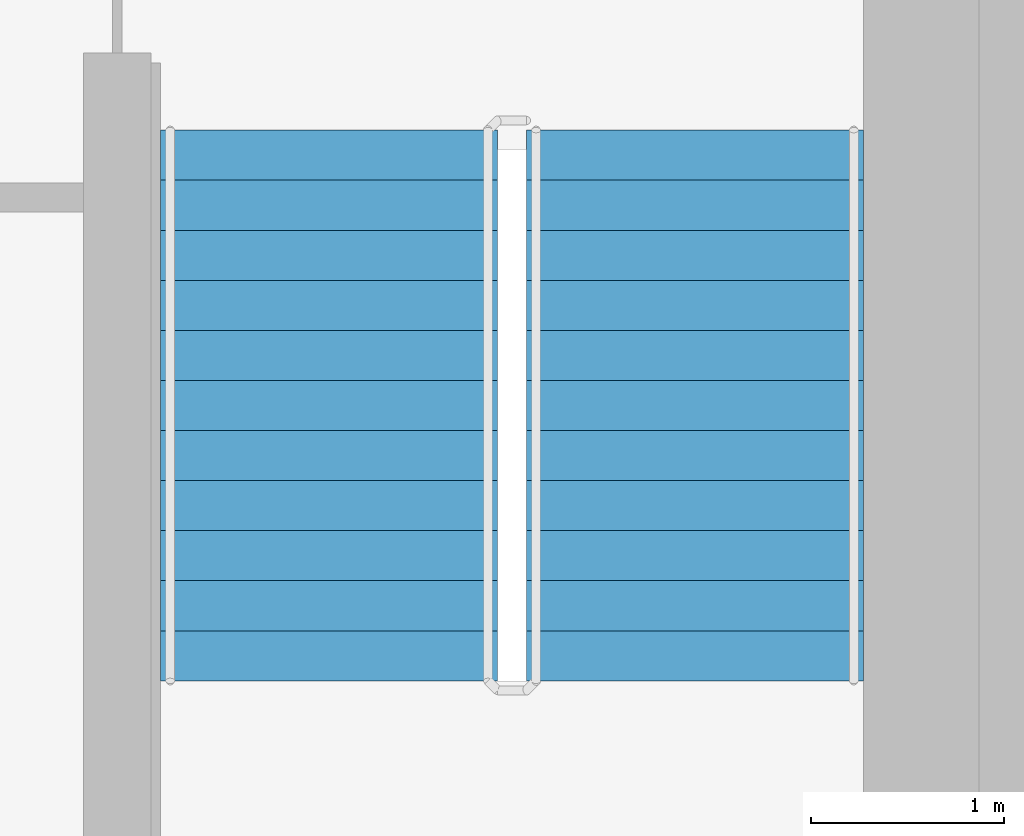
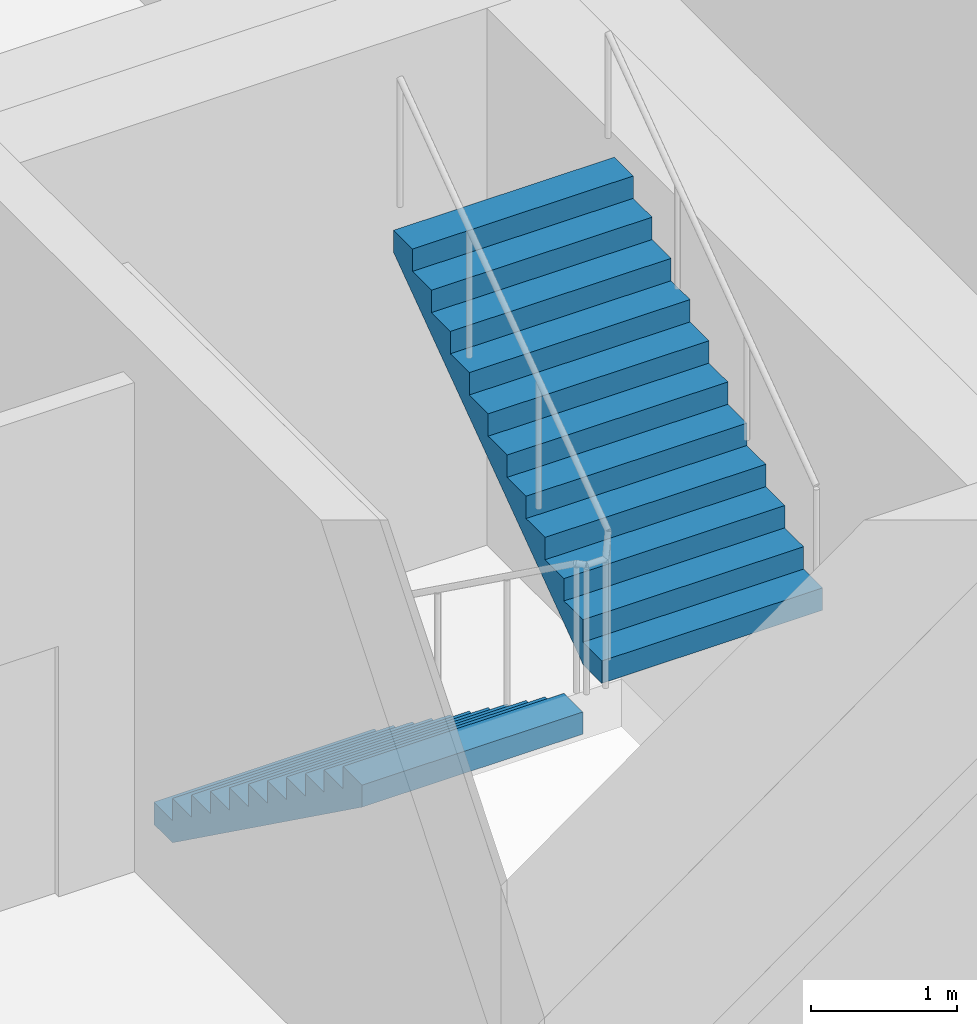
# One storey, part 10 of 12: 2 stair flights, 1 element without a shape of its own.
"""IFC4 building model written with IfcOpenShell, lengths in metres."""

from ifc_helpers import new_model, si_unit, direction, frame, origin, place, context, subcontext, project, spatial, faceted_brep, material, type_object, element, aggregate, save


model = new_model("IFC4")

# Units and contexts
model_context = context("Model", 3, precision=1e-05, world=origin(), true_north=direction((0.0, 1.0)))
body_context = subcontext(model_context, "Body", "Model", "MODEL_VIEW")
ifc_project = project(units=[si_unit("LENGTHUNIT", "METRE"), si_unit("AREAUNIT", "SQUARE_METRE"), si_unit("VOLUMEUNIT", "CUBIC_METRE"), si_unit("PLANEANGLEUNIT", "RADIAN"), si_unit("MASSUNIT", "GRAM", prefix="KILO")], contexts=[model_context])

# Site, building, storey
site_placement = place(None, origin())
site = spatial("IfcSite", under=ifc_project, at=site_placement, CompositionType="ELEMENT")
building_placement = place(site_placement, origin())
building = spatial("IfcBuilding", under=site, at=building_placement, Name="Ipe Terrace Towers", CompositionType="ELEMENT")
storey_placement = place(building_placement, frame((0.0, 0.0, 255.89990234375)))
storey = spatial("IfcBuildingStorey", under=building, at=storey_placement, Name="L70", CompositionType="ELEMENT", Elevation=255.89990234375)

# Stair, stair flights
ifc_material_1 = material(Name="Concrete C30/37", Category="concrete")
stair_type = type_object("IfcStairType", Name="Protected exit stair", PredefinedType="HALF_TURN_STAIR", material=ifc_material_1)
stair_placement = place(storey_placement, origin())
stair = element("IfcStair", 1, at=stair_placement, inside=storey, type_object=stair_type, Name="L70 Exit stair T2-C2", PredefinedType="HALF_TURN_STAIR")
ifc_material_2 = material(Name="Concrete C30/37", Category="concrete")
stair_flight_type = type_object("IfcStairFlightType", Name="Exit stair flight 1750", PredefinedType="STRAIGHT", material=ifc_material_2)
stair_flight_1_placement = place(storey_placement, frame((38.77490234375, -9.699951171875, 0.0), z_axis=(0.0, 0.0, 1.0), x_axis=(0.0, -1.0, 0.0)))
stair_flight_1 = element("IfcStairFlight", 2, at=stair_flight_1_placement, type_object=stair_flight_type, Name="T2-ST2 flight 1", NumberOfRisers=12, NumberOfTreads=11, PredefinedType="STRAIGHT", RiserHeight=0.1875, TreadLength=0.26, context=body_context, shape_type="Brep", body=[
    faceted_brep([(0.25634765625, -0.875, 0.0), (2.860107421875, -0.875, 1.877685546875), (2.860107421875, -0.875, 2.0625), (2.60009765625, -0.875, 2.0625), (2.60009765625, -0.875, 1.875), (2.340087890625, -0.875, 1.875), (2.340087890625, -0.875, 1.6875), (2.080078125, -0.875, 1.6875), (2.080078125, -0.875, 1.5), (1.820068359375, -0.875, 1.5), (1.820068359375, -0.875, 1.3125), (1.56005859375, -0.875, 1.3125), (1.56005859375, -0.875, 1.125), (1.300048828125, -0.875, 1.125), (1.300048828125, -0.875, 0.9375), (1.0400390625, -0.875, 0.9375), (1.0400390625, -0.875, 0.75), (0.780029296875, -0.875, 0.75), (0.780029296875, -0.875, 0.5625), (0.52001953125, -0.875, 0.5625), (0.52001953125, -0.875, 0.375), (0.260009765625, -0.875, 0.375), (0.260009765625, -0.875, 0.1875), (0.0, -0.875, 0.1875), (0.0, -0.875, 0.0), (0.0, 0.875, 0.0), (0.0, 0.875, 0.1875), (0.260009765625, 0.875, 0.1875), (0.260009765625, 0.875, 0.375), (0.52001953125, 0.875, 0.375), (0.52001953125, 0.875, 0.5625), (0.780029296875, 0.875, 0.5625), (0.780029296875, 0.875, 0.75), (1.0400390625, 0.875, 0.75), (1.0400390625, 0.875, 0.9375), (1.300048828125, 0.875, 0.9375), (1.300048828125, 0.875, 1.125), (1.56005859375, 0.875, 1.125), (1.56005859375, 0.875, 1.3125), (1.820068359375, 0.875, 1.3125), (1.820068359375, 0.875, 1.5), (2.080078125, 0.875, 1.5), (2.080078125, 0.875, 1.6875), (2.340087890625, 0.875, 1.6875), (2.340087890625, 0.875, 1.875), (2.60009765625, 0.875, 1.875), (2.60009765625, 0.875, 2.0625), (2.860107421875, 0.875, 2.0625), (2.860107421875, 0.875, 1.877685546875), (0.25634765625, 0.875, 0.0), (0.0, -0.300048828125, 0.1875), (0.0, -0.1201171875, 0.1875), (0.0, -0.06005859375, 0.1875), (0.0, -0.030029296875, 0.1875), (0.0, -0.010009765625, 0.1875), (0.0, 0.0, 0.1875), (0.0, 0.010009765625, 0.1875), (0.0, 0.030029296875, 0.1875), (0.0, 0.06005859375, 0.1875), (0.0, 0.1201171875, 0.1875), (0.0, 0.300048828125, 0.1875), (0.0, 0.300048828125, 0.0), (0.0, 0.1201171875, 0.0), (0.0, 0.06005859375, 0.0), (0.0, 0.030029296875, 0.0), (0.0, 0.010009765625, 0.0), (0.0, 0.0, 0.0), (0.0, -0.010009765625, 0.0), (0.0, -0.030029296875, 0.0), (0.0, -0.06005859375, 0.0), (0.0, -0.1201171875, 0.0), (0.0, -0.300048828125, 0.0), (0.260009765625, -0.300048828125, 0.1875), (0.260009765625, -0.1201171875, 0.1875), (0.260009765625, -0.06005859375, 0.1875), (0.260009765625, -0.030029296875, 0.1875), (0.260009765625, -0.010009765625, 0.1875), (0.260009765625, 0.0, 0.1875), (0.260009765625, 0.010009765625, 0.1875), (0.260009765625, 0.030029296875, 0.1875), (0.260009765625, 0.06005859375, 0.1875), (0.260009765625, 0.1201171875, 0.1875), (0.260009765625, 0.300048828125, 0.1875), (0.260009765625, -0.300048828125, 0.375), (0.260009765625, -0.1201171875, 0.375), (0.260009765625, -0.06005859375, 0.375), (0.260009765625, -0.030029296875, 0.375), (0.260009765625, -0.010009765625, 0.375), (0.260009765625, 0.0, 0.375), (0.260009765625, 0.010009765625, 0.375), (0.260009765625, 0.030029296875, 0.375), (0.260009765625, 0.06005859375, 0.375), (0.260009765625, 0.1201171875, 0.375), (0.260009765625, 0.300048828125, 0.375), (0.52001953125, -0.300048828125, 0.375), (0.52001953125, -0.1201171875, 0.375), (0.52001953125, -0.06005859375, 0.375), (0.52001953125, -0.030029296875, 0.375), (0.52001953125, -0.010009765625, 0.375), (0.52001953125, 0.0, 0.375), (0.52001953125, 0.010009765625, 0.375), (0.52001953125, 0.030029296875, 0.375), (0.52001953125, 0.06005859375, 0.375), (0.52001953125, 0.1201171875, 0.375), (0.52001953125, 0.300048828125, 0.375), (0.52001953125, -0.300048828125, 0.5625), (0.52001953125, -0.1201171875, 0.5625), (0.52001953125, -0.06005859375, 0.5625), (0.52001953125, -0.030029296875, 0.5625), (0.52001953125, -0.010009765625, 0.5625), (0.52001953125, 0.0, 0.5625), (0.52001953125, 0.010009765625, 0.5625), (0.52001953125, 0.030029296875, 0.5625), (0.52001953125, 0.06005859375, 0.5625), (0.52001953125, 0.1201171875, 0.5625), (0.52001953125, 0.300048828125, 0.5625), (0.780029296875, -0.300048828125, 0.5625), (0.780029296875, -0.1201171875, 0.5625), (0.780029296875, -0.06005859375, 0.5625), (0.780029296875, -0.030029296875, 0.5625), (0.780029296875, -0.010009765625, 0.5625), (0.780029296875, 0.0, 0.5625), (0.780029296875, 0.010009765625, 0.5625), (0.780029296875, 0.030029296875, 0.5625), (0.780029296875, 0.06005859375, 0.5625), (0.780029296875, 0.1201171875, 0.5625), (0.780029296875, 0.300048828125, 0.5625), (0.780029296875, -0.300048828125, 0.75), (0.780029296875, -0.1201171875, 0.75), (0.780029296875, -0.06005859375, 0.75), (0.780029296875, -0.030029296875, 0.75), (0.780029296875, -0.010009765625, 0.75), (0.780029296875, 0.0, 0.75), (0.780029296875, 0.010009765625, 0.75), (0.780029296875, 0.030029296875, 0.75), (0.780029296875, 0.06005859375, 0.75), (0.780029296875, 0.1201171875, 0.75), (0.780029296875, 0.300048828125, 0.75), (1.0400390625, -0.300048828125, 0.75), (1.0400390625, -0.1201171875, 0.75), (1.0400390625, -0.06005859375, 0.75), (1.0400390625, -0.030029296875, 0.75), (1.0400390625, -0.010009765625, 0.75), (1.0400390625, 0.0, 0.75), (1.0400390625, 0.010009765625, 0.75), (1.0400390625, 0.030029296875, 0.75), (1.0400390625, 0.06005859375, 0.75), (1.0400390625, 0.1201171875, 0.75), (1.0400390625, 0.300048828125, 0.75), (1.0400390625, -0.300048828125, 0.9375), (1.0400390625, -0.1201171875, 0.9375), (1.0400390625, -0.06005859375, 0.9375), (1.0400390625, -0.030029296875, 0.9375), (1.0400390625, -0.010009765625, 0.9375), (1.0400390625, 0.0, 0.9375), (1.0400390625, 0.010009765625, 0.9375), (1.0400390625, 0.030029296875, 0.9375), (1.0400390625, 0.06005859375, 0.9375), (1.0400390625, 0.1201171875, 0.9375), (1.0400390625, 0.300048828125, 0.9375), (1.300048828125, -0.300048828125, 0.9375), (1.300048828125, -0.1201171875, 0.9375), (1.300048828125, -0.06005859375, 0.9375), (1.300048828125, -0.030029296875, 0.9375), (1.300048828125, -0.010009765625, 0.9375), (1.300048828125, 0.0, 0.9375), (1.300048828125, 0.010009765625, 0.9375), (1.300048828125, 0.030029296875, 0.9375), (1.300048828125, 0.06005859375, 0.9375), (1.300048828125, 0.1201171875, 0.9375), (1.300048828125, 0.300048828125, 0.9375), (1.300048828125, -0.300048828125, 1.125), (1.300048828125, -0.1201171875, 1.125), (1.300048828125, -0.06005859375, 1.125), (1.300048828125, -0.030029296875, 1.125), (1.300048828125, -0.010009765625, 1.125), (1.300048828125, 0.0, 1.125), (1.300048828125, 0.010009765625, 1.125), (1.300048828125, 0.030029296875, 1.125), (1.300048828125, 0.06005859375, 1.125), (1.300048828125, 0.1201171875, 1.125), (1.300048828125, 0.300048828125, 1.125), (1.56005859375, -0.300048828125, 1.125), (1.56005859375, -0.1201171875, 1.125), (1.56005859375, -0.06005859375, 1.125), (1.56005859375, -0.030029296875, 1.125), (1.56005859375, -0.010009765625, 1.125), (1.56005859375, 0.0, 1.125), (1.56005859375, 0.010009765625, 1.125), (1.56005859375, 0.030029296875, 1.125), (1.56005859375, 0.06005859375, 1.125), (1.56005859375, 0.1201171875, 1.125), (1.56005859375, 0.300048828125, 1.125), (1.56005859375, -0.300048828125, 1.3125), (1.56005859375, -0.1201171875, 1.3125), (1.56005859375, -0.06005859375, 1.3125), (1.56005859375, -0.030029296875, 1.3125), (1.56005859375, -0.010009765625, 1.3125), (1.56005859375, 0.0, 1.3125), (1.56005859375, 0.010009765625, 1.3125), (1.56005859375, 0.030029296875, 1.3125), (1.56005859375, 0.06005859375, 1.3125), (1.56005859375, 0.1201171875, 1.3125), (1.56005859375, 0.300048828125, 1.3125), (1.820068359375, -0.300048828125, 1.3125), (1.820068359375, -0.1201171875, 1.3125), (1.820068359375, -0.06005859375, 1.3125), (1.820068359375, -0.030029296875, 1.3125), (1.820068359375, -0.010009765625, 1.3125), (1.820068359375, 0.0, 1.3125), (1.820068359375, 0.010009765625, 1.3125), (1.820068359375, 0.030029296875, 1.3125), (1.820068359375, 0.06005859375, 1.3125), (1.820068359375, 0.1201171875, 1.3125), (1.820068359375, 0.300048828125, 1.3125), (1.820068359375, -0.300048828125, 1.5), (1.820068359375, -0.1201171875, 1.5), (1.820068359375, -0.06005859375, 1.5), (1.820068359375, -0.030029296875, 1.5), (1.820068359375, -0.010009765625, 1.5), (1.820068359375, 0.0, 1.5), (1.820068359375, 0.010009765625, 1.5), (1.820068359375, 0.030029296875, 1.5), (1.820068359375, 0.06005859375, 1.5), (1.820068359375, 0.1201171875, 1.5), (1.820068359375, 0.300048828125, 1.5), (2.080078125, -0.300048828125, 1.5), (2.080078125, -0.1201171875, 1.5), (2.080078125, -0.06005859375, 1.5), (2.080078125, -0.030029296875, 1.5), (2.080078125, -0.010009765625, 1.5), (2.080078125, 0.0, 1.5), (2.080078125, 0.010009765625, 1.5), (2.080078125, 0.030029296875, 1.5), (2.080078125, 0.06005859375, 1.5), (2.080078125, 0.1201171875, 1.5), (2.080078125, 0.300048828125, 1.5), (2.080078125, -0.300048828125, 1.6875), (2.080078125, -0.1201171875, 1.6875), (2.080078125, -0.06005859375, 1.6875), (2.080078125, -0.030029296875, 1.6875), (2.080078125, -0.010009765625, 1.6875), (2.080078125, 0.0, 1.6875), (2.080078125, 0.010009765625, 1.6875), (2.080078125, 0.030029296875, 1.6875), (2.080078125, 0.06005859375, 1.6875), (2.080078125, 0.1201171875, 1.6875), (2.080078125, 0.300048828125, 1.6875), (2.340087890625, -0.300048828125, 1.6875), (2.340087890625, -0.1201171875, 1.6875), (2.340087890625, -0.06005859375, 1.6875), (2.340087890625, -0.030029296875, 1.6875), (2.340087890625, -0.010009765625, 1.6875), (2.340087890625, 0.0, 1.6875), (2.340087890625, 0.010009765625, 1.6875), (2.340087890625, 0.030029296875, 1.6875), (2.340087890625, 0.06005859375, 1.6875), (2.340087890625, 0.1201171875, 1.6875), (2.340087890625, 0.300048828125, 1.6875), (2.340087890625, -0.300048828125, 1.875), (2.340087890625, -0.1201171875, 1.875), (2.340087890625, -0.06005859375, 1.875), (2.340087890625, -0.030029296875, 1.875), (2.340087890625, -0.010009765625, 1.875), (2.340087890625, 0.0, 1.875), (2.340087890625, 0.010009765625, 1.875), (2.340087890625, 0.030029296875, 1.875), (2.340087890625, 0.06005859375, 1.875), (2.340087890625, 0.1201171875, 1.875), (2.340087890625, 0.300048828125, 1.875), (2.60009765625, -0.300048828125, 1.875), (2.60009765625, -0.1201171875, 1.875), (2.60009765625, -0.06005859375, 1.875), (2.60009765625, -0.030029296875, 1.875), (2.60009765625, -0.010009765625, 1.875), (2.60009765625, 0.0, 1.875), (2.60009765625, 0.010009765625, 1.875), (2.60009765625, 0.030029296875, 1.875), (2.60009765625, 0.06005859375, 1.875), (2.60009765625, 0.1201171875, 1.875), (2.60009765625, 0.300048828125, 1.875), (2.60009765625, -0.300048828125, 2.0625), (2.60009765625, -0.1201171875, 2.0625), (2.60009765625, -0.06005859375, 2.0625), (2.60009765625, -0.030029296875, 2.0625), (2.60009765625, -0.010009765625, 2.0625), (2.60009765625, 0.0, 2.0625), (2.60009765625, 0.010009765625, 2.0625), (2.60009765625, 0.030029296875, 2.0625), (2.60009765625, 0.06005859375, 2.0625), (2.60009765625, 0.1201171875, 2.0625), (2.60009765625, 0.300048828125, 2.0625), (2.860107421875, -0.300048828125, 2.0625), (2.860107421875, -0.1201171875, 2.0625), (2.860107421875, -0.06005859375, 2.0625), (2.860107421875, -0.030029296875, 2.0625), (2.860107421875, -0.010009765625, 2.0625), (2.860107421875, 0.0, 2.0625), (2.860107421875, 0.010009765625, 2.0625), (2.860107421875, 0.030029296875, 2.0625), (2.860107421875, 0.06005859375, 2.0625), (2.860107421875, 0.1201171875, 2.0625), (2.860107421875, 0.300048828125, 2.0625), (2.860107421875, -0.300048828125, 1.877685546875), (2.860107421875, -0.1201171875, 1.877685546875), (2.860107421875, -0.06005859375, 1.877685546875), (2.860107421875, -0.030029296875, 1.877685546875), (2.860107421875, -0.010009765625, 1.877685546875), (2.860107421875, 0.0, 1.877685546875), (2.860107421875, 0.010009765625, 1.877685546875), (2.860107421875, 0.030029296875, 1.877685546875), (2.860107421875, 0.06005859375, 1.877685546875), (2.860107421875, 0.1201171875, 1.877685546875), (2.860107421875, 0.300048828125, 1.877685546875), (0.25634765625, -0.300048828125, 0.0), (0.25634765625, -0.1201171875, 0.0), (0.25634765625, -0.06005859375, 0.0), (0.25634765625, -0.030029296875, 0.0), (0.25634765625, -0.010009765625, 0.0), (0.25634765625, 0.0, 0.0), (0.25634765625, 0.010009765625, 0.0), (0.25634765625, 0.030029296875, 0.0), (0.25634765625, 0.06005859375, 0.0), (0.25634765625, 0.1201171875, 0.0), (0.25634765625, 0.300048828125, 0.0)], [[[0, 1, 2, 3, 4, 5, 6, 7, 8, 9, 10, 11, 12, 13, 14, 15, 16, 17, 18, 19, 20, 21, 22, 23, 24]], [[25, 26, 27, 28, 29, 30, 31, 32, 33, 34, 35, 36, 37, 38, 39, 40, 41, 42, 43, 44, 45, 46, 47, 48, 49]], [[23, 50, 51, 52, 53, 54, 55, 56, 57, 58, 59, 60, 26, 25, 61, 62, 63, 64, 65, 66, 67, 68, 69, 70, 71, 24]], [[22, 72, 73, 74, 75, 76, 77, 78, 79, 80, 81, 82, 27, 26, 60, 59, 58, 57, 56, 55, 54, 53, 52, 51, 50, 23]], [[21, 83, 84, 85, 86, 87, 88, 89, 90, 91, 92, 93, 28, 27, 82, 81, 80, 79, 78, 77, 76, 75, 74, 73, 72, 22]], [[20, 94, 95, 96, 97, 98, 99, 100, 101, 102, 103, 104, 29, 28, 93, 92, 91, 90, 89, 88, 87, 86, 85, 84, 83, 21]], [[19, 105, 106, 107, 108, 109, 110, 111, 112, 113, 114, 115, 30, 29, 104, 103, 102, 101, 100, 99, 98, 97, 96, 95, 94, 20]], [[18, 116, 117, 118, 119, 120, 121, 122, 123, 124, 125, 126, 31, 30, 115, 114, 113, 112, 111, 110, 109, 108, 107, 106, 105, 19]], [[17, 127, 128, 129, 130, 131, 132, 133, 134, 135, 136, 137, 32, 31, 126, 125, 124, 123, 122, 121, 120, 119, 118, 117, 116, 18]], [[16, 138, 139, 140, 141, 142, 143, 144, 145, 146, 147, 148, 33, 32, 137, 136, 135, 134, 133, 132, 131, 130, 129, 128, 127, 17]], [[15, 149, 150, 151, 152, 153, 154, 155, 156, 157, 158, 159, 34, 33, 148, 147, 146, 145, 144, 143, 142, 141, 140, 139, 138, 16]], [[14, 160, 161, 162, 163, 164, 165, 166, 167, 168, 169, 170, 35, 34, 159, 158, 157, 156, 155, 154, 153, 152, 151, 150, 149, 15]], [[13, 171, 172, 173, 174, 175, 176, 177, 178, 179, 180, 181, 36, 35, 170, 169, 168, 167, 166, 165, 164, 163, 162, 161, 160, 14]], [[12, 182, 183, 184, 185, 186, 187, 188, 189, 190, 191, 192, 37, 36, 181, 180, 179, 178, 177, 176, 175, 174, 173, 172, 171, 13]], [[11, 193, 194, 195, 196, 197, 198, 199, 200, 201, 202, 203, 38, 37, 192, 191, 190, 189, 188, 187, 186, 185, 184, 183, 182, 12]], [[10, 204, 205, 206, 207, 208, 209, 210, 211, 212, 213, 214, 39, 38, 203, 202, 201, 200, 199, 198, 197, 196, 195, 194, 193, 11]], [[9, 215, 216, 217, 218, 219, 220, 221, 222, 223, 224, 225, 40, 39, 214, 213, 212, 211, 210, 209, 208, 207, 206, 205, 204, 10]], [[8, 226, 227, 228, 229, 230, 231, 232, 233, 234, 235, 236, 41, 40, 225, 224, 223, 222, 221, 220, 219, 218, 217, 216, 215, 9]], [[7, 237, 238, 239, 240, 241, 242, 243, 244, 245, 246, 247, 42, 41, 236, 235, 234, 233, 232, 231, 230, 229, 228, 227, 226, 8]], [[6, 248, 249, 250, 251, 252, 253, 254, 255, 256, 257, 258, 43, 42, 247, 246, 245, 244, 243, 242, 241, 240, 239, 238, 237, 7]], [[5, 259, 260, 261, 262, 263, 264, 265, 266, 267, 268, 269, 44, 43, 258, 257, 256, 255, 254, 253, 252, 251, 250, 249, 248, 6]], [[4, 270, 271, 272, 273, 274, 275, 276, 277, 278, 279, 280, 45, 44, 269, 268, 267, 266, 265, 264, 263, 262, 261, 260, 259, 5]], [[3, 281, 282, 283, 284, 285, 286, 287, 288, 289, 290, 291, 46, 45, 280, 279, 278, 277, 276, 275, 274, 273, 272, 271, 270, 4]], [[2, 292, 293, 294, 295, 296, 297, 298, 299, 300, 301, 302, 47, 46, 291, 290, 289, 288, 287, 286, 285, 284, 283, 282, 281, 3]], [[1, 303, 304, 305, 306, 307, 308, 309, 310, 311, 312, 313, 48, 47, 302, 301, 300, 299, 298, 297, 296, 295, 294, 293, 292, 2]], [[0, 314, 315, 316, 317, 318, 319, 320, 321, 322, 323, 324, 49, 48, 313, 312, 311, 310, 309, 308, 307, 306, 305, 304, 303, 1]], [[24, 71, 70, 69, 68, 67, 66, 65, 64, 63, 62, 61, 25, 49, 324, 323, 322, 321, 320, 319, 318, 317, 316, 315, 314, 0]]]),
])
stair_flight_2_placement = place(storey_placement, frame((40.675048828125, -12.56005859375, 2.25), z_axis=(0.0, 0.0, 1.0), x_axis=(0.0, 1.0, 0.0)))
stair_flight_2 = element("IfcStairFlight", 3, at=stair_flight_2_placement, type_object=stair_flight_type, Name="T2-ST2 flight 2", NumberOfRisers=12, NumberOfTreads=11, PredefinedType="STRAIGHT", RiserHeight=0.1875, TreadLength=0.26, context=body_context, shape_type="Brep", body=[
    faceted_brep([(0.25634765625, -0.875, 0.0), (2.860107421875, -0.875, 1.877685546875), (2.860107421875, -0.875, 2.0625), (2.60009765625, -0.875, 2.0625), (2.60009765625, -0.875, 1.875), (2.340087890625, -0.875, 1.875), (2.340087890625, -0.875, 1.6875), (2.080078125, -0.875, 1.6875), (2.080078125, -0.875, 1.5), (1.820068359375, -0.875, 1.5), (1.820068359375, -0.875, 1.3125), (1.56005859375, -0.875, 1.3125), (1.56005859375, -0.875, 1.125), (1.300048828125, -0.875, 1.125), (1.300048828125, -0.875, 0.9375), (1.0400390625, -0.875, 0.9375), (1.0400390625, -0.875, 0.75), (0.780029296875, -0.875, 0.75), (0.780029296875, -0.875, 0.5625), (0.52001953125, -0.875, 0.5625), (0.52001953125, -0.875, 0.375), (0.260009765625, -0.875, 0.375), (0.260009765625, -0.875, 0.1875), (0.0, -0.875, 0.1875), (0.0, -0.875, 0.0), (0.0, 0.875, 0.0), (0.0, 0.875, 0.1875), (0.260009765625, 0.875, 0.1875), (0.260009765625, 0.875, 0.375), (0.52001953125, 0.875, 0.375), (0.52001953125, 0.875, 0.5625), (0.780029296875, 0.875, 0.5625), (0.780029296875, 0.875, 0.75), (1.0400390625, 0.875, 0.75), (1.0400390625, 0.875, 0.9375), (1.300048828125, 0.875, 0.9375), (1.300048828125, 0.875, 1.125), (1.56005859375, 0.875, 1.125), (1.56005859375, 0.875, 1.3125), (1.820068359375, 0.875, 1.3125), (1.820068359375, 0.875, 1.5), (2.080078125, 0.875, 1.5), (2.080078125, 0.875, 1.6875), (2.340087890625, 0.875, 1.6875), (2.340087890625, 0.875, 1.875), (2.60009765625, 0.875, 1.875), (2.60009765625, 0.875, 2.0625), (2.860107421875, 0.875, 2.0625), (2.860107421875, 0.875, 1.877685546875), (0.25634765625, 0.875, 0.0), (0.0, -0.300048828125, 0.1875), (0.0, -0.1201171875, 0.1875), (0.0, -0.06005859375, 0.1875), (0.0, -0.030029296875, 0.1875), (0.0, -0.010009765625, 0.1875), (0.0, 0.0, 0.1875), (0.0, 0.010009765625, 0.1875), (0.0, 0.030029296875, 0.1875), (0.0, 0.06005859375, 0.1875), (0.0, 0.1201171875, 0.1875), (0.0, 0.300048828125, 0.1875), (0.0, 0.300048828125, 0.0), (0.0, 0.1201171875, 0.0), (0.0, 0.06005859375, 0.0), (0.0, 0.030029296875, 0.0), (0.0, 0.010009765625, 0.0), (0.0, 0.0, 0.0), (0.0, -0.010009765625, 0.0), (0.0, -0.030029296875, 0.0), (0.0, -0.06005859375, 0.0), (0.0, -0.1201171875, 0.0), (0.0, -0.300048828125, 0.0), (0.260009765625, -0.300048828125, 0.1875), (0.260009765625, -0.1201171875, 0.1875), (0.260009765625, -0.06005859375, 0.1875), (0.260009765625, -0.030029296875, 0.1875), (0.260009765625, -0.010009765625, 0.1875), (0.260009765625, 0.0, 0.1875), (0.260009765625, 0.010009765625, 0.1875), (0.260009765625, 0.030029296875, 0.1875), (0.260009765625, 0.06005859375, 0.1875), (0.260009765625, 0.1201171875, 0.1875), (0.260009765625, 0.300048828125, 0.1875), (0.260009765625, -0.300048828125, 0.375), (0.260009765625, -0.1201171875, 0.375), (0.260009765625, -0.06005859375, 0.375), (0.260009765625, -0.030029296875, 0.375), (0.260009765625, -0.010009765625, 0.375), (0.260009765625, 0.0, 0.375), (0.260009765625, 0.010009765625, 0.375), (0.260009765625, 0.030029296875, 0.375), (0.260009765625, 0.06005859375, 0.375), (0.260009765625, 0.1201171875, 0.375), (0.260009765625, 0.300048828125, 0.375), (0.52001953125, -0.300048828125, 0.375), (0.52001953125, -0.1201171875, 0.375), (0.52001953125, -0.06005859375, 0.375), (0.52001953125, -0.030029296875, 0.375), (0.52001953125, -0.010009765625, 0.375), (0.52001953125, 0.0, 0.375), (0.52001953125, 0.010009765625, 0.375), (0.52001953125, 0.030029296875, 0.375), (0.52001953125, 0.06005859375, 0.375), (0.52001953125, 0.1201171875, 0.375), (0.52001953125, 0.300048828125, 0.375), (0.52001953125, -0.300048828125, 0.5625), (0.52001953125, -0.1201171875, 0.5625), (0.52001953125, -0.06005859375, 0.5625), (0.52001953125, -0.030029296875, 0.5625), (0.52001953125, -0.010009765625, 0.5625), (0.52001953125, 0.0, 0.5625), (0.52001953125, 0.010009765625, 0.5625), (0.52001953125, 0.030029296875, 0.5625), (0.52001953125, 0.06005859375, 0.5625), (0.52001953125, 0.1201171875, 0.5625), (0.52001953125, 0.300048828125, 0.5625), (0.780029296875, -0.300048828125, 0.5625), (0.780029296875, -0.1201171875, 0.5625), (0.780029296875, -0.06005859375, 0.5625), (0.780029296875, -0.030029296875, 0.5625), (0.780029296875, -0.010009765625, 0.5625), (0.780029296875, 0.0, 0.5625), (0.780029296875, 0.010009765625, 0.5625), (0.780029296875, 0.030029296875, 0.5625), (0.780029296875, 0.06005859375, 0.5625), (0.780029296875, 0.1201171875, 0.5625), (0.780029296875, 0.300048828125, 0.5625), (0.780029296875, -0.300048828125, 0.75), (0.780029296875, -0.1201171875, 0.75), (0.780029296875, -0.06005859375, 0.75), (0.780029296875, -0.030029296875, 0.75), (0.780029296875, -0.010009765625, 0.75), (0.780029296875, 0.0, 0.75), (0.780029296875, 0.010009765625, 0.75), (0.780029296875, 0.030029296875, 0.75), (0.780029296875, 0.06005859375, 0.75), (0.780029296875, 0.1201171875, 0.75), (0.780029296875, 0.300048828125, 0.75), (1.0400390625, -0.300048828125, 0.75), (1.0400390625, -0.1201171875, 0.75), (1.0400390625, -0.06005859375, 0.75), (1.0400390625, -0.030029296875, 0.75), (1.0400390625, -0.010009765625, 0.75), (1.0400390625, 0.0, 0.75), (1.0400390625, 0.010009765625, 0.75), (1.0400390625, 0.030029296875, 0.75), (1.0400390625, 0.06005859375, 0.75), (1.0400390625, 0.1201171875, 0.75), (1.0400390625, 0.300048828125, 0.75), (1.0400390625, -0.300048828125, 0.9375), (1.0400390625, -0.1201171875, 0.9375), (1.0400390625, -0.06005859375, 0.9375), (1.0400390625, -0.030029296875, 0.9375), (1.0400390625, -0.010009765625, 0.9375), (1.0400390625, 0.0, 0.9375), (1.0400390625, 0.010009765625, 0.9375), (1.0400390625, 0.030029296875, 0.9375), (1.0400390625, 0.06005859375, 0.9375), (1.0400390625, 0.1201171875, 0.9375), (1.0400390625, 0.300048828125, 0.9375), (1.300048828125, -0.300048828125, 0.9375), (1.300048828125, -0.1201171875, 0.9375), (1.300048828125, -0.06005859375, 0.9375), (1.300048828125, -0.030029296875, 0.9375), (1.300048828125, -0.010009765625, 0.9375), (1.300048828125, 0.0, 0.9375), (1.300048828125, 0.010009765625, 0.9375), (1.300048828125, 0.030029296875, 0.9375), (1.300048828125, 0.06005859375, 0.9375), (1.300048828125, 0.1201171875, 0.9375), (1.300048828125, 0.300048828125, 0.9375), (1.300048828125, -0.300048828125, 1.125), (1.300048828125, -0.1201171875, 1.125), (1.300048828125, -0.06005859375, 1.125), (1.300048828125, -0.030029296875, 1.125), (1.300048828125, -0.010009765625, 1.125), (1.300048828125, 0.0, 1.125), (1.300048828125, 0.010009765625, 1.125), (1.300048828125, 0.030029296875, 1.125), (1.300048828125, 0.06005859375, 1.125), (1.300048828125, 0.1201171875, 1.125), (1.300048828125, 0.300048828125, 1.125), (1.56005859375, -0.300048828125, 1.125), (1.56005859375, -0.1201171875, 1.125), (1.56005859375, -0.06005859375, 1.125), (1.56005859375, -0.030029296875, 1.125), (1.56005859375, -0.010009765625, 1.125), (1.56005859375, 0.0, 1.125), (1.56005859375, 0.010009765625, 1.125), (1.56005859375, 0.030029296875, 1.125), (1.56005859375, 0.06005859375, 1.125), (1.56005859375, 0.1201171875, 1.125), (1.56005859375, 0.300048828125, 1.125), (1.56005859375, -0.300048828125, 1.3125), (1.56005859375, -0.1201171875, 1.3125), (1.56005859375, -0.06005859375, 1.3125), (1.56005859375, -0.030029296875, 1.3125), (1.56005859375, -0.010009765625, 1.3125), (1.56005859375, 0.0, 1.3125), (1.56005859375, 0.010009765625, 1.3125), (1.56005859375, 0.030029296875, 1.3125), (1.56005859375, 0.06005859375, 1.3125), (1.56005859375, 0.1201171875, 1.3125), (1.56005859375, 0.300048828125, 1.3125), (1.820068359375, -0.300048828125, 1.3125), (1.820068359375, -0.1201171875, 1.3125), (1.820068359375, -0.06005859375, 1.3125), (1.820068359375, -0.030029296875, 1.3125), (1.820068359375, -0.010009765625, 1.3125), (1.820068359375, 0.0, 1.3125), (1.820068359375, 0.010009765625, 1.3125), (1.820068359375, 0.030029296875, 1.3125), (1.820068359375, 0.06005859375, 1.3125), (1.820068359375, 0.1201171875, 1.3125), (1.820068359375, 0.300048828125, 1.3125), (1.820068359375, -0.300048828125, 1.5), (1.820068359375, -0.1201171875, 1.5), (1.820068359375, -0.06005859375, 1.5), (1.820068359375, -0.030029296875, 1.5), (1.820068359375, -0.010009765625, 1.5), (1.820068359375, 0.0, 1.5), (1.820068359375, 0.010009765625, 1.5), (1.820068359375, 0.030029296875, 1.5), (1.820068359375, 0.06005859375, 1.5), (1.820068359375, 0.1201171875, 1.5), (1.820068359375, 0.300048828125, 1.5), (2.080078125, -0.300048828125, 1.5), (2.080078125, -0.1201171875, 1.5), (2.080078125, -0.06005859375, 1.5), (2.080078125, -0.030029296875, 1.5), (2.080078125, -0.010009765625, 1.5), (2.080078125, 0.0, 1.5), (2.080078125, 0.010009765625, 1.5), (2.080078125, 0.030029296875, 1.5), (2.080078125, 0.06005859375, 1.5), (2.080078125, 0.1201171875, 1.5), (2.080078125, 0.300048828125, 1.5), (2.080078125, -0.300048828125, 1.6875), (2.080078125, -0.1201171875, 1.6875), (2.080078125, -0.06005859375, 1.6875), (2.080078125, -0.030029296875, 1.6875), (2.080078125, -0.010009765625, 1.6875), (2.080078125, 0.0, 1.6875), (2.080078125, 0.010009765625, 1.6875), (2.080078125, 0.030029296875, 1.6875), (2.080078125, 0.06005859375, 1.6875), (2.080078125, 0.1201171875, 1.6875), (2.080078125, 0.300048828125, 1.6875), (2.340087890625, -0.300048828125, 1.6875), (2.340087890625, -0.1201171875, 1.6875), (2.340087890625, -0.06005859375, 1.6875), (2.340087890625, -0.030029296875, 1.6875), (2.340087890625, -0.010009765625, 1.6875), (2.340087890625, 0.0, 1.6875), (2.340087890625, 0.010009765625, 1.6875), (2.340087890625, 0.030029296875, 1.6875), (2.340087890625, 0.06005859375, 1.6875), (2.340087890625, 0.1201171875, 1.6875), (2.340087890625, 0.300048828125, 1.6875), (2.340087890625, -0.300048828125, 1.875), (2.340087890625, -0.1201171875, 1.875), (2.340087890625, -0.06005859375, 1.875), (2.340087890625, -0.030029296875, 1.875), (2.340087890625, -0.010009765625, 1.875), (2.340087890625, 0.0, 1.875), (2.340087890625, 0.010009765625, 1.875), (2.340087890625, 0.030029296875, 1.875), (2.340087890625, 0.06005859375, 1.875), (2.340087890625, 0.1201171875, 1.875), (2.340087890625, 0.300048828125, 1.875), (2.60009765625, -0.300048828125, 1.875), (2.60009765625, -0.1201171875, 1.875), (2.60009765625, -0.06005859375, 1.875), (2.60009765625, -0.030029296875, 1.875), (2.60009765625, -0.010009765625, 1.875), (2.60009765625, 0.0, 1.875), (2.60009765625, 0.010009765625, 1.875), (2.60009765625, 0.030029296875, 1.875), (2.60009765625, 0.06005859375, 1.875), (2.60009765625, 0.1201171875, 1.875), (2.60009765625, 0.300048828125, 1.875), (2.60009765625, -0.300048828125, 2.0625), (2.60009765625, -0.1201171875, 2.0625), (2.60009765625, -0.06005859375, 2.0625), (2.60009765625, -0.030029296875, 2.0625), (2.60009765625, -0.010009765625, 2.0625), (2.60009765625, 0.0, 2.0625), (2.60009765625, 0.010009765625, 2.0625), (2.60009765625, 0.030029296875, 2.0625), (2.60009765625, 0.06005859375, 2.0625), (2.60009765625, 0.1201171875, 2.0625), (2.60009765625, 0.300048828125, 2.0625), (2.860107421875, -0.300048828125, 2.0625), (2.860107421875, -0.1201171875, 2.0625), (2.860107421875, -0.06005859375, 2.0625), (2.860107421875, -0.030029296875, 2.0625), (2.860107421875, -0.010009765625, 2.0625), (2.860107421875, 0.0, 2.0625), (2.860107421875, 0.010009765625, 2.0625), (2.860107421875, 0.030029296875, 2.0625), (2.860107421875, 0.06005859375, 2.0625), (2.860107421875, 0.1201171875, 2.0625), (2.860107421875, 0.300048828125, 2.0625), (2.860107421875, -0.300048828125, 1.877685546875), (2.860107421875, -0.1201171875, 1.877685546875), (2.860107421875, -0.06005859375, 1.877685546875), (2.860107421875, -0.030029296875, 1.877685546875), (2.860107421875, -0.010009765625, 1.877685546875), (2.860107421875, 0.0, 1.877685546875), (2.860107421875, 0.010009765625, 1.877685546875), (2.860107421875, 0.030029296875, 1.877685546875), (2.860107421875, 0.06005859375, 1.877685546875), (2.860107421875, 0.1201171875, 1.877685546875), (2.860107421875, 0.300048828125, 1.877685546875), (0.25634765625, -0.300048828125, 0.0), (0.25634765625, -0.1201171875, 0.0), (0.25634765625, -0.06005859375, 0.0), (0.25634765625, -0.030029296875, 0.0), (0.25634765625, -0.010009765625, 0.0), (0.25634765625, 0.0, 0.0), (0.25634765625, 0.010009765625, 0.0), (0.25634765625, 0.030029296875, 0.0), (0.25634765625, 0.06005859375, 0.0), (0.25634765625, 0.1201171875, 0.0), (0.25634765625, 0.300048828125, 0.0)], [[[0, 1, 2, 3, 4, 5, 6, 7, 8, 9, 10, 11, 12, 13, 14, 15, 16, 17, 18, 19, 20, 21, 22, 23, 24]], [[25, 26, 27, 28, 29, 30, 31, 32, 33, 34, 35, 36, 37, 38, 39, 40, 41, 42, 43, 44, 45, 46, 47, 48, 49]], [[23, 50, 51, 52, 53, 54, 55, 56, 57, 58, 59, 60, 26, 25, 61, 62, 63, 64, 65, 66, 67, 68, 69, 70, 71, 24]], [[22, 72, 73, 74, 75, 76, 77, 78, 79, 80, 81, 82, 27, 26, 60, 59, 58, 57, 56, 55, 54, 53, 52, 51, 50, 23]], [[21, 83, 84, 85, 86, 87, 88, 89, 90, 91, 92, 93, 28, 27, 82, 81, 80, 79, 78, 77, 76, 75, 74, 73, 72, 22]], [[20, 94, 95, 96, 97, 98, 99, 100, 101, 102, 103, 104, 29, 28, 93, 92, 91, 90, 89, 88, 87, 86, 85, 84, 83, 21]], [[19, 105, 106, 107, 108, 109, 110, 111, 112, 113, 114, 115, 30, 29, 104, 103, 102, 101, 100, 99, 98, 97, 96, 95, 94, 20]], [[18, 116, 117, 118, 119, 120, 121, 122, 123, 124, 125, 126, 31, 30, 115, 114, 113, 112, 111, 110, 109, 108, 107, 106, 105, 19]], [[17, 127, 128, 129, 130, 131, 132, 133, 134, 135, 136, 137, 32, 31, 126, 125, 124, 123, 122, 121, 120, 119, 118, 117, 116, 18]], [[16, 138, 139, 140, 141, 142, 143, 144, 145, 146, 147, 148, 33, 32, 137, 136, 135, 134, 133, 132, 131, 130, 129, 128, 127, 17]], [[15, 149, 150, 151, 152, 153, 154, 155, 156, 157, 158, 159, 34, 33, 148, 147, 146, 145, 144, 143, 142, 141, 140, 139, 138, 16]], [[14, 160, 161, 162, 163, 164, 165, 166, 167, 168, 169, 170, 35, 34, 159, 158, 157, 156, 155, 154, 153, 152, 151, 150, 149, 15]], [[13, 171, 172, 173, 174, 175, 176, 177, 178, 179, 180, 181, 36, 35, 170, 169, 168, 167, 166, 165, 164, 163, 162, 161, 160, 14]], [[12, 182, 183, 184, 185, 186, 187, 188, 189, 190, 191, 192, 37, 36, 181, 180, 179, 178, 177, 176, 175, 174, 173, 172, 171, 13]], [[11, 193, 194, 195, 196, 197, 198, 199, 200, 201, 202, 203, 38, 37, 192, 191, 190, 189, 188, 187, 186, 185, 184, 183, 182, 12]], [[10, 204, 205, 206, 207, 208, 209, 210, 211, 212, 213, 214, 39, 38, 203, 202, 201, 200, 199, 198, 197, 196, 195, 194, 193, 11]], [[9, 215, 216, 217, 218, 219, 220, 221, 222, 223, 224, 225, 40, 39, 214, 213, 212, 211, 210, 209, 208, 207, 206, 205, 204, 10]], [[8, 226, 227, 228, 229, 230, 231, 232, 233, 234, 235, 236, 41, 40, 225, 224, 223, 222, 221, 220, 219, 218, 217, 216, 215, 9]], [[7, 237, 238, 239, 240, 241, 242, 243, 244, 245, 246, 247, 42, 41, 236, 235, 234, 233, 232, 231, 230, 229, 228, 227, 226, 8]], [[6, 248, 249, 250, 251, 252, 253, 254, 255, 256, 257, 258, 43, 42, 247, 246, 245, 244, 243, 242, 241, 240, 239, 238, 237, 7]], [[5, 259, 260, 261, 262, 263, 264, 265, 266, 267, 268, 269, 44, 43, 258, 257, 256, 255, 254, 253, 252, 251, 250, 249, 248, 6]], [[4, 270, 271, 272, 273, 274, 275, 276, 277, 278, 279, 280, 45, 44, 269, 268, 267, 266, 265, 264, 263, 262, 261, 260, 259, 5]], [[3, 281, 282, 283, 284, 285, 286, 287, 288, 289, 290, 291, 46, 45, 280, 279, 278, 277, 276, 275, 274, 273, 272, 271, 270, 4]], [[2, 292, 293, 294, 295, 296, 297, 298, 299, 300, 301, 302, 47, 46, 291, 290, 289, 288, 287, 286, 285, 284, 283, 282, 281, 3]], [[1, 303, 304, 305, 306, 307, 308, 309, 310, 311, 312, 313, 48, 47, 302, 301, 300, 299, 298, 297, 296, 295, 294, 293, 292, 2]], [[0, 314, 315, 316, 317, 318, 319, 320, 321, 322, 323, 324, 49, 48, 313, 312, 311, 310, 309, 308, 307, 306, 305, 304, 303, 1]], [[24, 71, 70, 69, 68, 67, 66, 65, 64, 63, 62, 61, 25, 49, 324, 323, 322, 321, 320, 319, 318, 317, 316, 315, 314, 0]]]),
])
aggregate(stair, [stair_flight_1, stair_flight_2])

save(model, "model.ifc")
